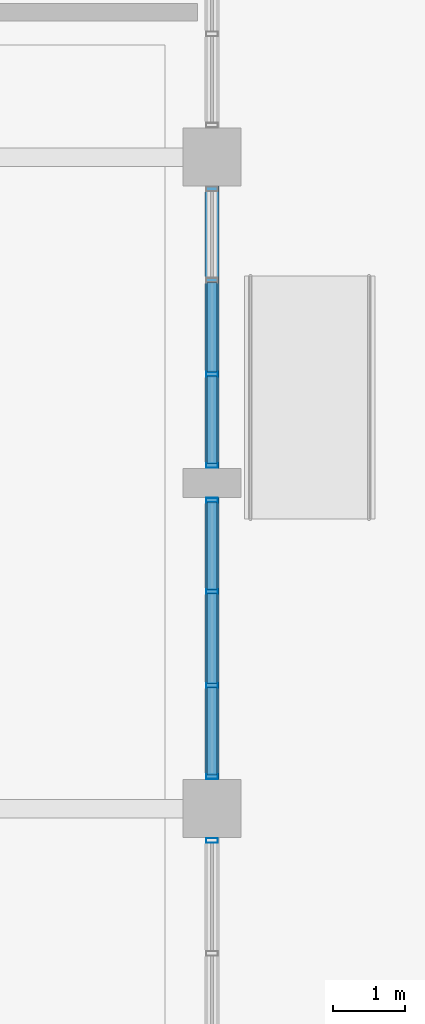
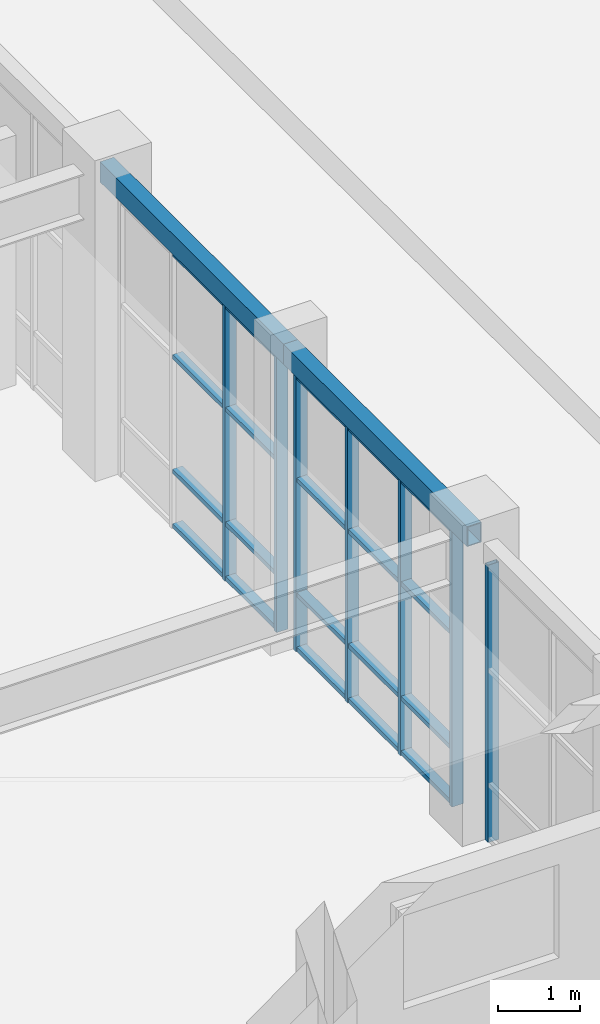
# One storey, part 15 of 47: 27 members, 2 beams, 3 elements without a shape of their own.
"""IFC4 building model written with IfcOpenShell, lengths in metres."""

from ifc_helpers import new_model, si_unit, direction, frame, origin, origin_2d, place, context, subcontext, project, spatial, hollow_rectangle, extrude, material, layer, layer_set, material_profile, profile_set, type_object, element, aggregate, save


model = new_model("IFC4")

# Units and contexts
model_context = context("Model", 3, precision=1e-05, world=origin(), true_north=direction((0.0, 1.0)))
body_context = subcontext(model_context, "Body", "Model", "MODEL_VIEW")
ifc_project = project(units=[si_unit("LENGTHUNIT", "METRE"), si_unit("AREAUNIT", "SQUARE_METRE"), si_unit("VOLUMEUNIT", "CUBIC_METRE"), si_unit("PLANEANGLEUNIT", "RADIAN"), si_unit("MASSUNIT", "GRAM", prefix="KILO")], contexts=[model_context])

# Site, building, storey
site_placement = place(None, origin())
site = spatial("IfcSite", under=ifc_project, at=site_placement, CompositionType="ELEMENT")
building_placement = place(site_placement, origin())
building = spatial("IfcBuilding", under=site, at=building_placement, Name="Ventoquebrada Cableway Terminal", CompositionType="ELEMENT")
storey_placement = place(building_placement, origin())
storey = spatial("IfcBuildingStorey", under=building, at=storey_placement, Name="L00", CompositionType="ELEMENT", Elevation=0.0)

# Curtain wall, member
ifc_material_1 = material(Name="Anodized thermally-broken aluminium", Category="aluminium")
ifc_layer_1 = layer(ifc_material_1, 0.159912109375)
ifc_layer_set_1 = layer_set([ifc_layer_1], Name="Anodized thermally-broken aluminium")
curtain_wall_type_1 = type_object("IfcCurtainWallType", Name="CW-T12", PredefinedType="USERDEFINED", material=ifc_layer_set_1)
curtain_wall_1_placement = place(storey_placement, origin())
curtain_wall_1 = element("IfcCurtainWall", 1, at=curtain_wall_1_placement, inside=storey, type_object=curtain_wall_type_1, Name="Unitised glazed curtain wall CW-023", ObjectType="UNITISED CURTAIN WALL", PredefinedType="USERDEFINED")
ifc_material_profile_1 = material_profile(ifc_material_1, hollow_rectangle(XDim=0.06494140625, YDim=0.159912109375, WallThickness=0.00390625, at=origin_2d()), Name="CW-MUL-65X160")
ifc_profile_set_1 = profile_set([ifc_material_profile_1], Name="Anodized thermally-broken aluminium")
member_type_1 = type_object("IfcMemberType", Name="CWM-01", PredefinedType="MULLION", material=ifc_profile_set_1)
member_1_placement = place(storey_placement, frame((35.0, 67.56005859375, -0.008056640625), z_axis=(0.0, 0.0, 1.0), x_axis=(0.0, 1.0, 0.0)))
member_1 = element("IfcMember", 2, at=member_1_placement, type_object=member_type_1, Name="Curtain wall mullion FML-0108", PredefinedType="MULLION", context=body_context, shape_type="SweptSolid", body=[
    extrude(hollow_rectangle(XDim=0.06494140625, YDim=0.159912109375, WallThickness=0.00390625, at=origin_2d()), origin(), (0.0, 0.0, 1.0), 4.14794921875),
])
aggregate(curtain_wall_1, [member_1])

# Curtain wall, members
ifc_layer_2 = layer(ifc_material_1, 0.159912109375)
ifc_layer_set_2 = layer_set([ifc_layer_2], Name="Anodized thermally-broken aluminium")
curtain_wall_type_2 = type_object("IfcCurtainWallType", Name="CW-T13", PredefinedType="USERDEFINED", material=ifc_layer_set_2)
curtain_wall_2_placement = place(storey_placement, origin())
curtain_wall_2 = element("IfcCurtainWall", 3, at=curtain_wall_2_placement, inside=storey, type_object=curtain_wall_type_2, Name="Unitised glazed curtain wall CW-024", ObjectType="UNITISED CURTAIN WALL", PredefinedType="USERDEFINED")
member_2_placement = place(storey_placement, frame((35.0, 68.43994140625, -0.008056640625), z_axis=(0.0, 0.0, 1.0), x_axis=(0.0, 1.0, 0.0)))
member_2 = element("IfcMember", 4, at=member_2_placement, type_object=member_type_1, Name="Curtain wall mullion FML-0109", PredefinedType="MULLION", context=body_context, shape_type="SweptSolid", body=[
    extrude(hollow_rectangle(XDim=0.06494140625, YDim=0.159912109375, WallThickness=0.00390625, at=origin_2d()), origin(), (0.0, 0.0, 1.0), 4.14794921875),
])
member_3_placement = place(storey_placement, frame((35.0, 69.701904296875, -0.008056640625), z_axis=(0.0, 0.0, 1.0), x_axis=(0.0, 1.0, 0.0)))
member_3 = element("IfcMember", 5, at=member_3_placement, type_object=member_type_1, Name="Curtain wall mullion FML-0110", PredefinedType="MULLION", context=body_context, shape_type="SweptSolid", body=[
    extrude(hollow_rectangle(XDim=0.06494140625, YDim=0.159912109375, WallThickness=0.00390625, at=origin_2d()), origin(), (0.0, 0.0, 1.0), 4.14794921875),
])
member_4_placement = place(storey_placement, frame((35.0, 70.998046875, -0.008056640625), z_axis=(0.0, 0.0, 1.0), x_axis=(0.0, 1.0, 0.0)))
member_4 = element("IfcMember", 6, at=member_4_placement, type_object=member_type_1, Name="Curtain wall mullion FML-0111", PredefinedType="MULLION", context=body_context, shape_type="SweptSolid", body=[
    extrude(hollow_rectangle(XDim=0.06494140625, YDim=0.159912109375, WallThickness=0.00390625, at=origin_2d()), origin(), (0.0, 0.0, 1.0), 4.14794921875),
])
member_5_placement = place(storey_placement, frame((35.0, 72.260009765625, -0.008056640625), z_axis=(0.0, 0.0, 1.0), x_axis=(0.0, 1.0, 0.0)))
member_5 = element("IfcMember", 7, at=member_5_placement, type_object=member_type_1, Name="Curtain wall mullion FML-0112", PredefinedType="MULLION", context=body_context, shape_type="SweptSolid", body=[
    extrude(hollow_rectangle(XDim=0.06494140625, YDim=0.159912109375, WallThickness=0.00390625, at=origin_2d()), origin(), (0.0, 0.0, 1.0), 4.14794921875),
])

curtain_wall_3_placement = place(storey_placement, origin())
curtain_wall_3 = element("IfcCurtainWall", 8, at=curtain_wall_3_placement, inside=storey, type_object=curtain_wall_type_2, Name="Unitised glazed curtain wall CW-025", ObjectType="UNITISED CURTAIN WALL", PredefinedType="USERDEFINED")
member_6_placement = place(storey_placement, frame((35.0, 72.739990234375, -0.008056640625), z_axis=(0.0, 0.0, 1.0), x_axis=(0.0, 1.0, 0.0)))
member_6 = element("IfcMember", 9, at=member_6_placement, type_object=member_type_1, Name="Curtain wall mullion FML-0113", PredefinedType="MULLION", context=body_context, shape_type="SweptSolid", body=[
    extrude(hollow_rectangle(XDim=0.06494140625, YDim=0.159912109375, WallThickness=0.00390625, at=origin_2d()), origin(), (0.0, 0.0, 1.0), 4.14794921875),
])
member_7_placement = place(storey_placement, frame((35.0, 74.001953125, -0.008056640625), z_axis=(0.0, 0.0, 1.0), x_axis=(0.0, 1.0, 0.0)))
member_7 = element("IfcMember", 10, at=member_7_placement, type_object=member_type_1, Name="Curtain wall mullion FML-0114", PredefinedType="MULLION", context=body_context, shape_type="SweptSolid", body=[
    extrude(hollow_rectangle(XDim=0.06494140625, YDim=0.159912109375, WallThickness=0.00390625, at=origin_2d()), origin(), (0.0, 0.0, 1.0), 4.14794921875),
])

# Member
ifc_material_profile_2 = material_profile(ifc_material_1, hollow_rectangle(XDim=0.06494140625, YDim=0.139892578125, WallThickness=0.00390625, at=origin_2d()), Name="CW-TRN-65X140")
ifc_profile_set_2 = profile_set([ifc_material_profile_2], Name="Anodized thermally-broken aluminium")
member_type_2 = type_object("IfcMemberType", Name="CWT-01", PredefinedType="USERDEFINED", material=ifc_profile_set_2)
member_8_placement = place(storey_placement, frame((35.0, 68.468017578125, 0.034912109375), z_axis=(0.0, 1.0, 0.0), x_axis=(0.0, 0.0, 1.0)))
member_8 = element("IfcMember", 11, at=member_8_placement, type_object=member_type_2, Name="Curtain wall transom FTR-0319", ObjectType="TRANSOM", PredefinedType="USERDEFINED", context=body_context, shape_type="SweptSolid", body=[
    extrude(hollow_rectangle(XDim=0.06494140625, YDim=0.139892578125, WallThickness=0.00390625, at=origin_2d()), origin(), (0.0, 0.0, 1.0), 1.2060546875),
])

member_9_placement = place(storey_placement, frame((35.0, 68.468017578125, 0.85009765625), z_axis=(0.0, 1.0, 0.0), x_axis=(0.0, 0.0, 1.0)))
member_9 = element("IfcMember", 12, at=member_9_placement, type_object=member_type_2, Name="Curtain wall transom FTR-0320", ObjectType="TRANSOM", PredefinedType="USERDEFINED", context=body_context, shape_type="SweptSolid", body=[
    extrude(hollow_rectangle(XDim=0.06494140625, YDim=0.139892578125, WallThickness=0.00390625, at=origin_2d()), origin(), (0.0, 0.0, 1.0), 1.2060546875),
])

member_10_placement = place(storey_placement, frame((35.0, 68.468017578125, 2.56396484375), z_axis=(0.0, 1.0, 0.0), x_axis=(0.0, 0.0, 1.0)))
member_10 = element("IfcMember", 13, at=member_10_placement, type_object=member_type_2, Name="Curtain wall transom FTR-0321", ObjectType="TRANSOM", PredefinedType="USERDEFINED", context=body_context, shape_type="SweptSolid", body=[
    extrude(hollow_rectangle(XDim=0.06494140625, YDim=0.139892578125, WallThickness=0.00390625, at=origin_2d()), origin(), (0.0, 0.0, 1.0), 1.2060546875),
])

member_11_placement = place(storey_placement, frame((35.0, 68.468017578125, 4.10009765625), z_axis=(0.0, 1.0, 0.0), x_axis=(0.0, 0.0, 1.0)))
member_11 = element("IfcMember", 14, at=member_11_placement, type_object=member_type_2, Name="Curtain wall transom FTR-0322", ObjectType="TRANSOM", PredefinedType="USERDEFINED", context=body_context, shape_type="SweptSolid", body=[
    extrude(hollow_rectangle(XDim=0.06494140625, YDim=0.139892578125, WallThickness=0.00390625, at=origin_2d()), origin(), (0.0, 0.0, 1.0), 1.2060546875),
])

member_12_placement = place(storey_placement, frame((35.0, 69.72900390625, 0.034912109375), z_axis=(0.0, 1.0, 0.0), x_axis=(0.0, 0.0, 1.0)))
member_12 = element("IfcMember", 15, at=member_12_placement, type_object=member_type_2, Name="Curtain wall transom FTR-0323", ObjectType="TRANSOM", PredefinedType="USERDEFINED", context=body_context, shape_type="SweptSolid", body=[
    extrude(hollow_rectangle(XDim=0.06494140625, YDim=0.139892578125, WallThickness=0.00390625, at=origin_2d()), origin(), (0.0, 0.0, 1.0), 1.241943359375),
])

member_13_placement = place(storey_placement, frame((35.0, 69.72900390625, 0.85009765625), z_axis=(0.0, 1.0, 0.0), x_axis=(0.0, 0.0, 1.0)))
member_13 = element("IfcMember", 16, at=member_13_placement, type_object=member_type_2, Name="Curtain wall transom FTR-0324", ObjectType="TRANSOM", PredefinedType="USERDEFINED", context=body_context, shape_type="SweptSolid", body=[
    extrude(hollow_rectangle(XDim=0.06494140625, YDim=0.139892578125, WallThickness=0.00390625, at=origin_2d()), origin(), (0.0, 0.0, 1.0), 1.241943359375),
])

member_14_placement = place(storey_placement, frame((35.0, 69.72900390625, 2.56396484375), z_axis=(0.0, 1.0, 0.0), x_axis=(0.0, 0.0, 1.0)))
member_14 = element("IfcMember", 17, at=member_14_placement, type_object=member_type_2, Name="Curtain wall transom FTR-0325", ObjectType="TRANSOM", PredefinedType="USERDEFINED", context=body_context, shape_type="SweptSolid", body=[
    extrude(hollow_rectangle(XDim=0.06494140625, YDim=0.139892578125, WallThickness=0.00390625, at=origin_2d()), origin(), (0.0, 0.0, 1.0), 1.241943359375),
])

member_15_placement = place(storey_placement, frame((35.0, 69.72900390625, 4.10009765625), z_axis=(0.0, 1.0, 0.0), x_axis=(0.0, 0.0, 1.0)))
member_15 = element("IfcMember", 18, at=member_15_placement, type_object=member_type_2, Name="Curtain wall transom FTR-0326", ObjectType="TRANSOM", PredefinedType="USERDEFINED", context=body_context, shape_type="SweptSolid", body=[
    extrude(hollow_rectangle(XDim=0.06494140625, YDim=0.139892578125, WallThickness=0.00390625, at=origin_2d()), origin(), (0.0, 0.0, 1.0), 1.241943359375),
])

member_16_placement = place(storey_placement, frame((35.0, 71.02587890625, 0.034912109375), z_axis=(0.0, 1.0, 0.0), x_axis=(0.0, 0.0, 1.0)))
member_16 = element("IfcMember", 19, at=member_16_placement, type_object=member_type_2, Name="Curtain wall transom FTR-0327", ObjectType="TRANSOM", PredefinedType="USERDEFINED", context=body_context, shape_type="SweptSolid", body=[
    extrude(hollow_rectangle(XDim=0.06494140625, YDim=0.139892578125, WallThickness=0.00390625, at=origin_2d()), origin(), (0.0, 0.0, 1.0), 1.20703125),
])

member_17_placement = place(storey_placement, frame((35.0, 71.02587890625, 0.85009765625), z_axis=(0.0, 1.0, 0.0), x_axis=(0.0, 0.0, 1.0)))
member_17 = element("IfcMember", 20, at=member_17_placement, type_object=member_type_2, Name="Curtain wall transom FTR-0328", ObjectType="TRANSOM", PredefinedType="USERDEFINED", context=body_context, shape_type="SweptSolid", body=[
    extrude(hollow_rectangle(XDim=0.06494140625, YDim=0.139892578125, WallThickness=0.00390625, at=origin_2d()), origin(), (0.0, 0.0, 1.0), 1.20703125),
])

member_18_placement = place(storey_placement, frame((35.0, 71.02587890625, 2.56396484375), z_axis=(0.0, 1.0, 0.0), x_axis=(0.0, 0.0, 1.0)))
member_18 = element("IfcMember", 21, at=member_18_placement, type_object=member_type_2, Name="Curtain wall transom FTR-0329", ObjectType="TRANSOM", PredefinedType="USERDEFINED", context=body_context, shape_type="SweptSolid", body=[
    extrude(hollow_rectangle(XDim=0.06494140625, YDim=0.139892578125, WallThickness=0.00390625, at=origin_2d()), origin(), (0.0, 0.0, 1.0), 1.20703125),
])

member_19_placement = place(storey_placement, frame((35.0, 71.02587890625, 4.10009765625), z_axis=(0.0, 1.0, 0.0), x_axis=(0.0, 0.0, 1.0)))
member_19 = element("IfcMember", 22, at=member_19_placement, type_object=member_type_2, Name="Curtain wall transom FTR-0330", ObjectType="TRANSOM", PredefinedType="USERDEFINED", context=body_context, shape_type="SweptSolid", body=[
    extrude(hollow_rectangle(XDim=0.06494140625, YDim=0.139892578125, WallThickness=0.00390625, at=origin_2d()), origin(), (0.0, 0.0, 1.0), 1.20703125),
])

aggregate(curtain_wall_2, [member_2, member_3, member_4, member_5, member_8, member_9, member_10, member_11, member_12, member_13, member_14, member_15, member_16, member_17, member_18, member_19])

member_20_placement = place(storey_placement, frame((35.0, 72.76708984375, 0.034912109375), z_axis=(0.0, 1.0, 0.0), x_axis=(0.0, 0.0, 1.0)))
member_20 = element("IfcMember", 23, at=member_20_placement, type_object=member_type_2, Name="Curtain wall transom FTR-0331", ObjectType="TRANSOM", PredefinedType="USERDEFINED", context=body_context, shape_type="SweptSolid", body=[
    extrude(hollow_rectangle(XDim=0.06494140625, YDim=0.139892578125, WallThickness=0.00390625, at=origin_2d()), origin(), (0.0, 0.0, 1.0), 1.20703125),
])

member_21_placement = place(storey_placement, frame((35.0, 72.76708984375, 0.85009765625), z_axis=(0.0, 1.0, 0.0), x_axis=(0.0, 0.0, 1.0)))
member_21 = element("IfcMember", 24, at=member_21_placement, type_object=member_type_2, Name="Curtain wall transom FTR-0332", ObjectType="TRANSOM", PredefinedType="USERDEFINED", context=body_context, shape_type="SweptSolid", body=[
    extrude(hollow_rectangle(XDim=0.06494140625, YDim=0.139892578125, WallThickness=0.00390625, at=origin_2d()), origin(), (0.0, 0.0, 1.0), 1.20703125),
])

member_22_placement = place(storey_placement, frame((35.0, 72.76708984375, 2.56396484375), z_axis=(0.0, 1.0, 0.0), x_axis=(0.0, 0.0, 1.0)))
member_22 = element("IfcMember", 25, at=member_22_placement, type_object=member_type_2, Name="Curtain wall transom FTR-0333", ObjectType="TRANSOM", PredefinedType="USERDEFINED", context=body_context, shape_type="SweptSolid", body=[
    extrude(hollow_rectangle(XDim=0.06494140625, YDim=0.139892578125, WallThickness=0.00390625, at=origin_2d()), origin(), (0.0, 0.0, 1.0), 1.20703125),
])

member_23_placement = place(storey_placement, frame((35.0, 72.76708984375, 4.10009765625), z_axis=(0.0, 1.0, 0.0), x_axis=(0.0, 0.0, 1.0)))
member_23 = element("IfcMember", 26, at=member_23_placement, type_object=member_type_2, Name="Curtain wall transom FTR-0334", ObjectType="TRANSOM", PredefinedType="USERDEFINED", context=body_context, shape_type="SweptSolid", body=[
    extrude(hollow_rectangle(XDim=0.06494140625, YDim=0.139892578125, WallThickness=0.00390625, at=origin_2d()), origin(), (0.0, 0.0, 1.0), 1.20703125),
])

member_24_placement = place(storey_placement, frame((35.0, 74.029052734375, 0.034912109375), z_axis=(0.0, 1.0, 0.0), x_axis=(0.0, 0.0, 1.0)))
member_24 = element("IfcMember", 27, at=member_24_placement, type_object=member_type_2, Name="Curtain wall transom FTR-0335", ObjectType="TRANSOM", PredefinedType="USERDEFINED", context=body_context, shape_type="SweptSolid", body=[
    extrude(hollow_rectangle(XDim=0.06494140625, YDim=0.139892578125, WallThickness=0.00390625, at=origin_2d()), origin(), (0.0, 0.0, 1.0), 1.241943359375),
])

member_25_placement = place(storey_placement, frame((35.0, 74.029052734375, 0.85009765625), z_axis=(0.0, 1.0, 0.0), x_axis=(0.0, 0.0, 1.0)))
member_25 = element("IfcMember", 28, at=member_25_placement, type_object=member_type_2, Name="Curtain wall transom FTR-0336", ObjectType="TRANSOM", PredefinedType="USERDEFINED", context=body_context, shape_type="SweptSolid", body=[
    extrude(hollow_rectangle(XDim=0.06494140625, YDim=0.139892578125, WallThickness=0.00390625, at=origin_2d()), origin(), (0.0, 0.0, 1.0), 1.241943359375),
])

member_26_placement = place(storey_placement, frame((35.0, 74.029052734375, 2.56396484375), z_axis=(0.0, 1.0, 0.0), x_axis=(0.0, 0.0, 1.0)))
member_26 = element("IfcMember", 29, at=member_26_placement, type_object=member_type_2, Name="Curtain wall transom FTR-0337", ObjectType="TRANSOM", PredefinedType="USERDEFINED", context=body_context, shape_type="SweptSolid", body=[
    extrude(hollow_rectangle(XDim=0.06494140625, YDim=0.139892578125, WallThickness=0.00390625, at=origin_2d()), origin(), (0.0, 0.0, 1.0), 1.241943359375),
])

member_27_placement = place(storey_placement, frame((35.0, 74.029052734375, 4.10009765625), z_axis=(0.0, 1.0, 0.0), x_axis=(0.0, 0.0, 1.0)))
member_27 = element("IfcMember", 30, at=member_27_placement, type_object=member_type_2, Name="Curtain wall transom FTR-0338", ObjectType="TRANSOM", PredefinedType="USERDEFINED", context=body_context, shape_type="SweptSolid", body=[
    extrude(hollow_rectangle(XDim=0.06494140625, YDim=0.139892578125, WallThickness=0.00390625, at=origin_2d()), origin(), (0.0, 0.0, 1.0), 1.241943359375),
])

aggregate(curtain_wall_3, [member_6, member_7, member_20, member_21, member_22, member_23, member_24, member_25, member_26, member_27])

# Beams
ifc_material_2 = material(Name="Steel ASTM A500 Grade C", Category="steel")
ifc_material_profile_3 = material_profile(ifc_material_2, hollow_rectangle(XDim=0.199951171875, YDim=0.300048828125, WallThickness=0.012451171875, at=origin_2d()), Name="RHS300X200X12.5")
ifc_profile_set_3 = profile_set([ifc_material_profile_3], Name="Steel ASTM A500 Grade C")
beam_type = type_object("IfcBeamType", Name="SP-ST02", PredefinedType="SPANDREL", material=ifc_profile_set_3)
for number, where, z_axis, x_axis, name in (
    (31, (35.0, 68.0, 4.2900390625), (0.0, 1.0, 0.0), (-1.0, 0.0, 0.0), "Perimeter spandrel beam FBM-0367"),
    (32, (35.0, 72.5, 4.2900390625), (0.0, 1.0, 0.0), (-1.0, 0.0, 0.0), "Perimeter spandrel beam FBM-0368"),
):
    element("IfcBeam", number, at=place(storey_placement, frame(where, z_axis=z_axis, x_axis=x_axis)), inside=storey, type_object=beam_type, Name=name, PredefinedType="SPANDREL", context=body_context, shape_type="SweptSolid", body=[
        extrude(hollow_rectangle(XDim=0.199951171875, YDim=0.300048828125, WallThickness=0.012451171875, at=origin_2d()), origin(), (0.0, 0.0, 1.0), 4.5),
    ])

save(model, "model.ifc")
